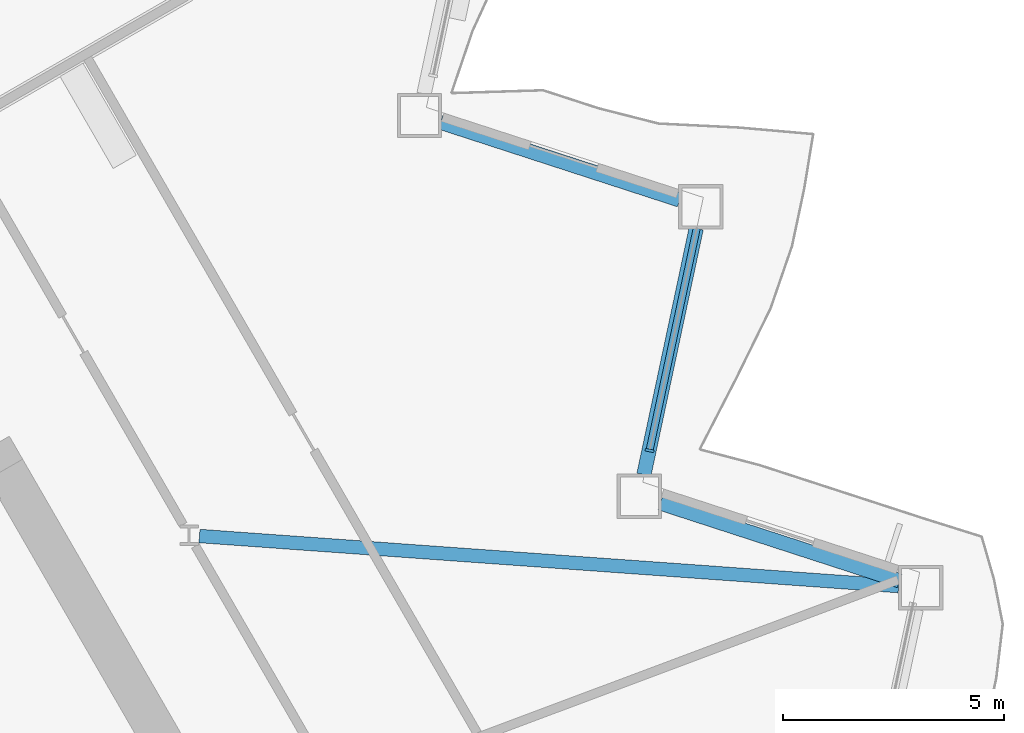
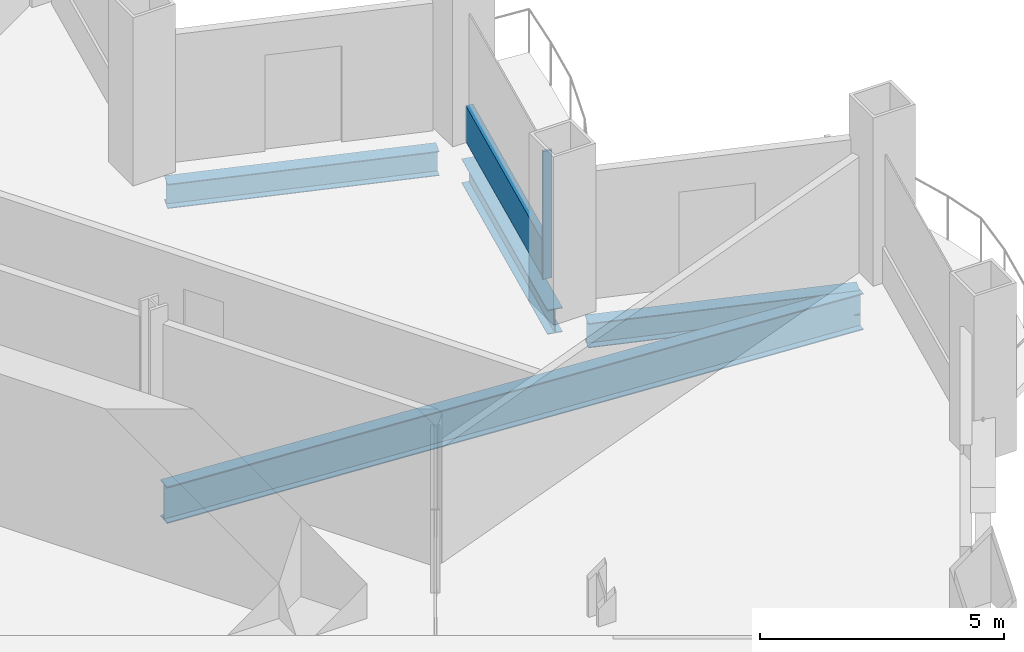
# One storey, part 5 of 20: 4 beams, 2 members, 1 element without a shape of its own.
"""IFC4 building model written with IfcOpenShell, lengths in metres."""

from ifc_helpers import new_model, si_unit, direction, frame, origin, origin_2d, place, context, subcontext, project, spatial, rectangle, i_section, extrude, material, layer, layer_set, material_profile, profile_set, type_object, element, aggregate, save


model = new_model("IFC4")

# Units and contexts
model_context = context("Model", 3, precision=1e-05, world=origin(), true_north=direction((0.0, 1.0)))
body_context = subcontext(model_context, "Body", "Model", "MODEL_VIEW")
ifc_project = project(units=[si_unit("LENGTHUNIT", "METRE"), si_unit("AREAUNIT", "SQUARE_METRE"), si_unit("VOLUMEUNIT", "CUBIC_METRE"), si_unit("PLANEANGLEUNIT", "RADIAN"), si_unit("MASSUNIT", "GRAM", prefix="KILO")], contexts=[model_context])

# Site, building, storey
site_placement = place(None, origin())
site = spatial("IfcSite", under=ifc_project, at=site_placement, CompositionType="ELEMENT")
building_placement = place(site_placement, origin())
building = spatial("IfcBuilding", under=site, at=building_placement, Name="Cormorant Prow Tower", CompositionType="ELEMENT")
storey_placement = place(building_placement, frame((0.0, 0.0, 55.199951171875)))
storey = spatial("IfcBuildingStorey", under=building, at=storey_placement, Name="L11", CompositionType="ELEMENT", Elevation=55.199951171875)

# Curtain wall, members
ifc_material_1 = material(Name="Aluminium 6063-T6", Category="aluminium")
ifc_layer = layer(ifc_material_1, 0.199951171875)
ifc_layer_set = layer_set([ifc_layer], Name="Aluminium 6063-T6")
curtain_wall_type = type_object("IfcCurtainWallType", Name="Office unitised curtain wall 200", PredefinedType="NOTDEFINED", material=ifc_layer_set)
curtain_wall_placement = place(storey_placement, origin())
curtain_wall = element("IfcCurtainWall", 1, at=curtain_wall_placement, inside=storey, type_object=curtain_wall_type, Name="Office curtain wall ENE02", PredefinedType="NOTDEFINED")
ifc_material_2 = material(Name="Aluminium 6063-T6", Category="aluminium")
ifc_material_profile_1 = material_profile(ifc_material_2, rectangle(XDim=0.199951171875, YDim=0.06005859375, at=origin_2d()), Name="Office mullion 60x200")
ifc_profile_set_1 = profile_set([ifc_material_profile_1], Name="Aluminium 6063-T6")
member_type_1 = type_object("IfcMemberType", Name="Office mullion 60x200", PredefinedType="MULLION", material=ifc_profile_set_1)
member_1_placement = place(storey_placement, frame((26.2646484375, -1.138916015625, 0.0), z_axis=(0.0, 0.0, 1.0), x_axis=(-0.978147613794, 0.207911629376, 0.0)))
member_1 = element("IfcMember", 2, at=member_1_placement, type_object=member_type_1, Name="Office mullion ENE02", PredefinedType="MULLION", context=body_context, shape_type="SweptSolid", body=[
    extrude(rectangle(XDim=0.199951171875, YDim=0.06005859375, at=origin_2d()), origin(), (0.0, 0.0, 1.0), 3.18896484375),
])
ifc_material_3 = material(Name="Terracotta", Category="masonry")
ifc_material_profile_2 = material_profile(ifc_material_3, rectangle(XDim=0.159912109375, YDim=0.89990234375, at=origin_2d()), Name="Office terracotta spandrel rail 160x900")
ifc_profile_set_2 = profile_set([ifc_material_profile_2], Name="Terracotta")
member_type_2 = type_object("IfcMemberType", Name="Office terracotta spandrel rail 160x900", PredefinedType="USERDEFINED", material=ifc_profile_set_2)
member_2_placement = place(storey_placement, frame((26.270751953125, -1.109619140625, 0.449951171875), z_axis=(0.207923880601, 0.978145009636, 0.0), x_axis=(-0.978145009636, 0.207923880601, 0.0)))
member_2 = element("IfcMember", 3, at=member_2_placement, type_object=member_type_2, Name="Office spandrel rail ENE02", ObjectType="TRANSOM", PredefinedType="USERDEFINED", context=body_context, shape_type="SweptSolid", body=[
    extrude(rectangle(XDim=0.159912109375, YDim=0.89990234375, at=origin_2d()), origin(), (0.0, 0.0, 1.0), 5.111328125),
])
aggregate(curtain_wall, [member_1, member_2])

# Beams
ifc_material_4 = material(Name="Structural steel ASTM A992 Gr 50", Category="steel")
ifc_material_profile_3 = material_profile(ifc_material_4, i_section(OverallWidth=0.3046875, OverallDepth=0.914794921875, WebThickness=0.0166015625, FlangeThickness=0.02587890625, at=origin_2d()), Name="W36x160")
ifc_profile_set_3 = profile_set([ifc_material_profile_3], Name="Structural steel ASTM A992 Gr 50")
beam_type_1 = type_object("IfcBeamType", Name="Radial floor beam W36x160", PredefinedType="BEAM", material=ifc_profile_set_3)
beam_1_placement = place(storey_placement, frame((16.099365234375, -3.0703125, -0.857421875), z_axis=(0.997443412532, -0.071460750045, 0.0), x_axis=(0.071460750045, 0.997443412532, 0.0)))
element("IfcBeam", 4, at=beam_1_placement, inside=storey, type_object=beam_type_1, Name="Radial floor beam FB1 10 L11", PredefinedType="BEAM", context=body_context, shape_type="SweptSolid", body=[
    extrude(i_section(OverallWidth=0.3046875, OverallDepth=0.914794921875, WebThickness=0.0166015625, FlangeThickness=0.02587890625, at=origin_2d()), origin(), (0.0, 0.0, 1.0), 15.831787109375),
])
ifc_material_5 = material(Name="Structural steel ASTM A992 Gr 50", Category="steel")
ifc_material_profile_4 = material_profile(ifc_material_5, i_section(OverallWidth=0.32373046875, OverallDepth=0.611083984375, WebThickness=0.0126953125, FlangeThickness=0.01904296875, at=origin_2d()), Name="W24x104")
ifc_profile_set_4 = profile_set([ifc_material_profile_4], Name="Structural steel ASTM A992 Gr 50")
beam_type_2 = type_object("IfcBeamType", Name="Spandrel beam W24x104", PredefinedType="SPANDREL", material=ifc_profile_set_4)
beam_2_placement = place(storey_placement, frame((31.913818359375, -4.082763671875, -0.70556640625), z_axis=(-0.951049222751, 0.309039440696, 0.0), x_axis=(-0.309039440696, -0.951049222751, 0.0)))
element("IfcBeam", 5, at=beam_2_placement, inside=storey, type_object=beam_type_2, Name="Spandrel beam SB1 ENE01-ENE02 L11", PredefinedType="SPANDREL", context=body_context, shape_type="SweptSolid", body=[
    extrude(i_section(OverallWidth=0.32373046875, OverallDepth=0.611083984375, WebThickness=0.0126953125, FlangeThickness=0.01904296875, at=origin_2d()), origin(), (0.0, 0.0, 1.0), 5.682373046875),
])
beam_3_placement = place(storey_placement, frame((26.137939453125, -1.68310546875, -0.70556640625), z_axis=(0.207900376723, 0.97815000555, 0.0), x_axis=(-0.97815000555, 0.207900376723, 0.0)))
element("IfcBeam", 6, at=beam_3_placement, inside=storey, type_object=beam_type_2, Name="Spandrel beam SB1 ENE02-ENE03 L11", PredefinedType="SPANDREL", context=body_context, shape_type="SweptSolid", body=[
    extrude(i_section(OverallWidth=0.32373046875, OverallDepth=0.611083984375, WebThickness=0.0126953125, FlangeThickness=0.01904296875, at=origin_2d()), origin(), (0.0, 0.0, 1.0), 5.6826171875),
])
beam_4_placement = place(storey_placement, frame((26.94775390625, 4.518798828125, -0.70556640625), z_axis=(-0.951061849722, 0.309000579292, 0.0), x_axis=(-0.309000579292, -0.951061849722, 0.0)))
element("IfcBeam", 7, at=beam_4_placement, inside=storey, type_object=beam_type_2, Name="Spandrel beam SB1 ENE03-ENE04 L11", PredefinedType="SPANDREL", context=body_context, shape_type="SweptSolid", body=[
    extrude(i_section(OverallWidth=0.32373046875, OverallDepth=0.611083984375, WebThickness=0.0126953125, FlangeThickness=0.01904296875, at=origin_2d()), origin(), (0.0, 0.0, 1.0), 5.682373046875),
])

save(model, "model.ifc")
